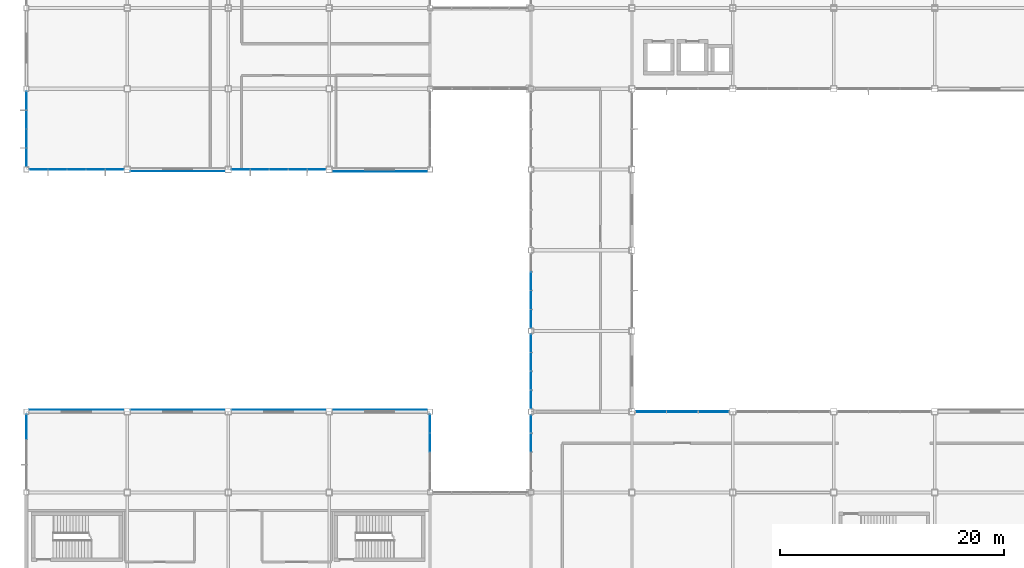
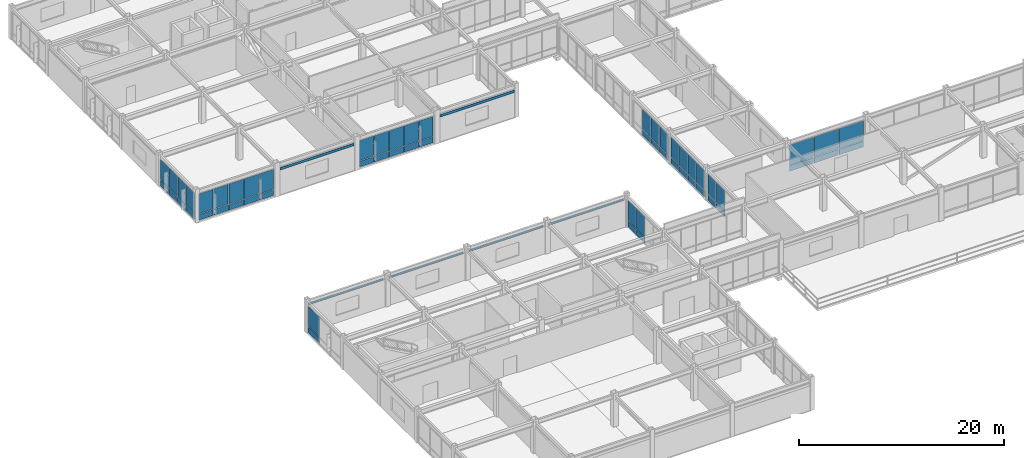
# One storey, part 90 of 122: 64 plates, 9 elements without a shape of their own.
"""IFC4 building model written with IfcOpenShell, lengths in metres."""

from ifc_helpers import new_model, si_unit, direction, frame, origin, origin_2d, place, context, subcontext, project, spatial, rectangle, extrude, material, layer, layer_set, type_object, element, aggregate, save


model = new_model("IFC4")

# Units and contexts
model_context = context("Model", 3, precision=1e-05, world=origin(), true_north=direction((0.0, 1.0)))
body_context = subcontext(model_context, "Body", "Model", "MODEL_VIEW")
ifc_project = project(units=[si_unit("LENGTHUNIT", "METRE"), si_unit("AREAUNIT", "SQUARE_METRE"), si_unit("VOLUMEUNIT", "CUBIC_METRE"), si_unit("PLANEANGLEUNIT", "RADIAN"), si_unit("MASSUNIT", "GRAM", prefix="KILO")], contexts=[model_context])

# Site, building, storey
site_placement = place(None, origin())
site = spatial("IfcSite", under=ifc_project, at=site_placement, CompositionType="ELEMENT")
building_placement = place(site_placement, origin())
building = spatial("IfcBuilding", under=site, at=building_placement, Name="Kazanami Central Library", CompositionType="ELEMENT")
storey_placement = place(building_placement, frame((0.0, 0.0, 4.800048828125)))
storey = spatial("IfcBuildingStorey", under=building, at=storey_placement, Name="L02", CompositionType="ELEMENT", Elevation=4.800048828125)

# Curtain wall, plates
ifc_material_1 = material(Name="Acid-Etched Low-E Laminated Glass", Category="glass")
curtain_wall_type_1 = type_object("IfcCurtainWallType", Name="CW-8450x3255-M275", PredefinedType="USERDEFINED", material=ifc_material_1)
curtain_wall_1_placement = place(storey_placement, origin())
curtain_wall_1 = element("IfcCurtainWall", 1, at=curtain_wall_1_placement, inside=storey, type_object=curtain_wall_type_1, Name="Unitised Curtain Wall CW-13 L02 N-F-06", ObjectType="UNITISED CURTAIN WALL", PredefinedType="USERDEFINED")
ifc_layer_1 = layer(ifc_material_1, 0.035888671875, Name="Acid-Etched Low-E Laminated Glass")
ifc_layer_set_1 = layer_set([ifc_layer_1], Name="Acid-Etched Low-E Laminated Glass")
plate_type_1 = type_object("IfcPlateType", Name="PLT-CW-P1", PredefinedType="CURTAIN_PANEL", material=ifc_layer_set_1)
plate_1_placement = place(storey_placement, frame((61.299072265625, 36.0, 0.81494140625), z_axis=(0.0, 0.0, 1.0), x_axis=(-1.0, 0.0, 0.0)))
plate_1 = element("IfcPlate", 2, at=plate_1_placement, type_object=plate_type_1, Name="CW-13 panel 1.2", PredefinedType="CURTAIN_PANEL", context=body_context, shape_type="SweptSolid", body=[
    extrude(rectangle(XDim=2.711669921875, YDim=0.035888671875, at=origin_2d()), origin(), (0.0, 0.0, 1.0), 2.3701171875),
])
plate_2_placement = place(storey_placement, frame((58.5, 36.0, 0.81494140625), z_axis=(0.0, 0.0, 1.0), x_axis=(-1.0, 0.0, 0.0)))
plate_2 = element("IfcPlate", 3, at=plate_2_placement, type_object=plate_type_1, Name="CW-13 panel 2.2", PredefinedType="CURTAIN_PANEL", context=body_context, shape_type="SweptSolid", body=[
    extrude(rectangle(XDim=2.74658203125, YDim=0.035888671875, at=origin_2d()), origin(), (0.0, 0.0, 1.0), 2.3701171875),
])
plate_3_placement = place(storey_placement, frame((55.700927734375, 36.0, 0.81494140625), z_axis=(0.0, 0.0, 1.0), x_axis=(-1.0, 0.0, 0.0)))
plate_3 = element("IfcPlate", 4, at=plate_3_placement, type_object=plate_type_1, Name="CW-13 panel 3.2", PredefinedType="CURTAIN_PANEL", context=body_context, shape_type="SweptSolid", body=[
    extrude(rectangle(XDim=2.711669921875, YDim=0.035888671875, at=origin_2d()), origin(), (0.0, 0.0, 1.0), 2.3701171875),
])

curtain_wall_type_2 = type_object("IfcCurtainWallType", Name="CW-8500x3255-M180", PredefinedType="USERDEFINED", material=ifc_material_1)
curtain_wall_2_placement = place(storey_placement, origin())
curtain_wall_2 = element("IfcCurtainWall", 5, at=curtain_wall_2_placement, inside=storey, type_object=curtain_wall_type_2, Name="Unitised Curtain Wall CW-16 L02 S-J-00", ObjectType="UNITISED CURTAIN WALL", PredefinedType="USERDEFINED")
plate_4_placement = place(storey_placement, frame((1.090087890625, 57.60009765625, 0.81005859375), z_axis=(0.0, 0.0, 1.0), x_axis=(1.0, 0.0, 0.0)))
plate_4 = element("IfcPlate", 6, at=plate_4_placement, type_object=plate_type_1, Name="CW-16 panel 1.2", PredefinedType="CURTAIN_PANEL", context=body_context, shape_type="SweptSolid", body=[
    extrude(rectangle(XDim=1.610107421875, YDim=0.035888671875, at=origin_2d()), origin(), (0.0, 0.0, 1.0), 2.385009765625),
])
plate_5_placement = place(storey_placement, frame((2.77490234375, 57.60009765625, 0.81005859375), z_axis=(0.0, 0.0, 1.0), x_axis=(1.0, 0.0, 0.0)))
plate_5 = element("IfcPlate", 7, at=plate_5_placement, type_object=plate_type_1, Name="CW-16 panel 2.2", PredefinedType="CURTAIN_PANEL", context=body_context, shape_type="SweptSolid", body=[
    extrude(rectangle(XDim=1.639892578125, YDim=0.035888671875, at=origin_2d()), origin(), (0.0, 0.0, 1.0), 2.385009765625),
])
plate_6_placement = place(storey_placement, frame((4.47509765625, 57.60009765625, 0.81005859375), z_axis=(0.0, 0.0, 1.0), x_axis=(1.0, 0.0, 0.0)))
plate_6 = element("IfcPlate", 8, at=plate_6_placement, type_object=plate_type_1, Name="CW-16 panel 3.2", PredefinedType="CURTAIN_PANEL", context=body_context, shape_type="SweptSolid", body=[
    extrude(rectangle(XDim=1.639892578125, YDim=0.035888671875, at=origin_2d()), origin(), (0.0, 0.0, 1.0), 2.385009765625),
])
plate_7_placement = place(storey_placement, frame((6.175048828125, 57.60009765625, 0.81005859375), z_axis=(0.0, 0.0, 1.0), x_axis=(1.0, 0.0, 0.0)))
plate_7 = element("IfcPlate", 9, at=plate_7_placement, type_object=plate_type_1, Name="CW-16 panel 4.2", PredefinedType="CURTAIN_PANEL", context=body_context, shape_type="SweptSolid", body=[
    extrude(rectangle(XDim=1.639892578125, YDim=0.035888671875, at=origin_2d()), origin(), (0.0, 0.0, 1.0), 2.385009765625),
])
plate_8_placement = place(storey_placement, frame((7.860107421875, 57.60009765625, 0.81005859375), z_axis=(0.0, 0.0, 1.0), x_axis=(1.0, 0.0, 0.0)))
plate_8 = element("IfcPlate", 10, at=plate_8_placement, type_object=plate_type_1, Name="CW-16 panel 5.2", PredefinedType="CURTAIN_PANEL", context=body_context, shape_type="SweptSolid", body=[
    extrude(rectangle(XDim=1.610107421875, YDim=0.035888671875, at=origin_2d()), origin(), (0.0, 0.0, 1.0), 2.385009765625),
])

curtain_wall_type_3 = type_object("IfcCurtainWallType", Name="CW-8450x3255-M180", PredefinedType="USERDEFINED", material=ifc_material_1)
curtain_wall_3_placement = place(storey_placement, origin())
curtain_wall_3 = element("IfcCurtainWall", 11, at=curtain_wall_3_placement, inside=storey, type_object=curtain_wall_type_3, Name="Unitised Curtain Wall CW-17 L02 S-J-02", ObjectType="UNITISED CURTAIN WALL", PredefinedType="USERDEFINED")
plate_9_placement = place(storey_placement, frame((19.135009765625, 57.60009765625, 0.81005859375), z_axis=(0.0, 0.0, 1.0), x_axis=(1.0, 0.0, 0.0)))
plate_9 = element("IfcPlate", 12, at=plate_9_placement, type_object=plate_type_1, Name="CW-17 panel 1.2", PredefinedType="CURTAIN_PANEL", context=body_context, shape_type="SweptSolid", body=[
    extrude(rectangle(XDim=1.60009765625, YDim=0.035888671875, at=origin_2d()), origin(), (0.0, 0.0, 1.0), 2.385009765625),
])
plate_10_placement = place(storey_placement, frame((20.81005859375, 57.60009765625, 0.81005859375), z_axis=(0.0, 0.0, 1.0), x_axis=(1.0, 0.0, 0.0)))
plate_10 = element("IfcPlate", 13, at=plate_10_placement, type_object=plate_type_1, Name="CW-17 panel 2.2", PredefinedType="CURTAIN_PANEL", context=body_context, shape_type="SweptSolid", body=[
    extrude(rectangle(XDim=1.6298828125, YDim=0.035888671875, at=origin_2d()), origin(), (0.0, 0.0, 1.0), 2.385009765625),
])
plate_11_placement = place(storey_placement, frame((22.5, 57.60009765625, 0.81005859375), z_axis=(0.0, 0.0, 1.0), x_axis=(1.0, 0.0, 0.0)))
plate_11 = element("IfcPlate", 14, at=plate_11_placement, type_object=plate_type_1, Name="CW-17 panel 3.2", PredefinedType="CURTAIN_PANEL", context=body_context, shape_type="SweptSolid", body=[
    extrude(rectangle(XDim=1.6298828125, YDim=0.035888671875, at=origin_2d()), origin(), (0.0, 0.0, 1.0), 2.385009765625),
])
plate_12_placement = place(storey_placement, frame((24.18994140625, 57.60009765625, 0.81005859375), z_axis=(0.0, 0.0, 1.0), x_axis=(1.0, 0.0, 0.0)))
plate_12 = element("IfcPlate", 15, at=plate_12_placement, type_object=plate_type_1, Name="CW-17 panel 4.2", PredefinedType="CURTAIN_PANEL", context=body_context, shape_type="SweptSolid", body=[
    extrude(rectangle(XDim=1.6298828125, YDim=0.035888671875, at=origin_2d()), origin(), (0.0, 0.0, 1.0), 2.385009765625),
])
plate_13_placement = place(storey_placement, frame((25.864990234375, 57.60009765625, 0.81005859375), z_axis=(0.0, 0.0, 1.0), x_axis=(1.0, 0.0, 0.0)))
plate_13 = element("IfcPlate", 16, at=plate_13_placement, type_object=plate_type_1, Name="CW-17 panel 5.2", PredefinedType="CURTAIN_PANEL", context=body_context, shape_type="SweptSolid", body=[
    extrude(rectangle(XDim=1.60009765625, YDim=0.035888671875, at=origin_2d()), origin(), (0.0, 0.0, 1.0), 2.385009765625),
])

curtain_wall_type_4 = type_object("IfcCurtainWallType", Name="CW-6750x3255-M180", PredefinedType="USERDEFINED", material=ifc_material_1)
curtain_wall_4_placement = place(storey_placement, origin())
curtain_wall_4 = element("IfcCurtainWall", 17, at=curtain_wall_4_placement, inside=storey, type_object=curtain_wall_type_4, Name="Unitised Curtain Wall CW-21 L02 W-1-08", ObjectType="UNITISED CURTAIN WALL", PredefinedType="USERDEFINED")
plate_14_placement = place(storey_placement, frame((0.0, 58.683837890625, 0.81005859375), z_axis=(0.0, 0.0, 1.0), x_axis=(0.0, 1.0, 0.0)))
plate_14 = element("IfcPlate", 18, at=plate_14_placement, type_object=plate_type_1, Name="CW-21 panel 1.2", PredefinedType="CURTAIN_PANEL", context=body_context, shape_type="SweptSolid", body=[
    extrude(rectangle(XDim=1.597412109375, YDim=0.035888671875, at=origin_2d()), origin(), (0.0, 0.0, 1.0), 2.385009765625),
])
plate_15_placement = place(storey_placement, frame((0.0, 60.356201171875, 0.81005859375), z_axis=(0.0, 0.0, 1.0), x_axis=(0.0, 1.0, 0.0)))
plate_15 = element("IfcPlate", 19, at=plate_15_placement, type_object=plate_type_1, Name="CW-21 panel 2.2", PredefinedType="CURTAIN_PANEL", context=body_context, shape_type="SweptSolid", body=[
    extrude(rectangle(XDim=1.62744140625, YDim=0.035888671875, at=origin_2d()), origin(), (0.0, 0.0, 1.0), 2.385009765625),
])
plate_16_placement = place(storey_placement, frame((0.0, 62.043701171875, 0.81005859375), z_axis=(0.0, 0.0, 1.0), x_axis=(0.0, 1.0, 0.0)))
plate_16 = element("IfcPlate", 20, at=plate_16_placement, type_object=plate_type_1, Name="CW-21 panel 3.2", PredefinedType="CURTAIN_PANEL", context=body_context, shape_type="SweptSolid", body=[
    extrude(rectangle(XDim=1.62744140625, YDim=0.035888671875, at=origin_2d()), origin(), (0.0, 0.0, 1.0), 2.385009765625),
])
plate_17_placement = place(storey_placement, frame((0.0, 63.71630859375, 0.81005859375), z_axis=(0.0, 0.0, 1.0), x_axis=(0.0, 1.0, 0.0)))
plate_17 = element("IfcPlate", 21, at=plate_17_placement, type_object=plate_type_1, Name="CW-21 panel 4.2", PredefinedType="CURTAIN_PANEL", context=body_context, shape_type="SweptSolid", body=[
    extrude(rectangle(XDim=1.597412109375, YDim=0.035888671875, at=origin_2d()), origin(), (0.0, 0.0, 1.0), 2.385009765625),
])

# Curtain wall, plate
curtain_wall_type_5 = type_object("IfcCurtainWallType", Name="CW-6750x3255-M225", PredefinedType="USERDEFINED", material=ifc_material_1)
curtain_wall_5_placement = place(storey_placement, origin())
curtain_wall_5 = element("IfcCurtainWall", 22, at=curtain_wall_5_placement, inside=storey, type_object=curtain_wall_type_5, Name="Unitised Curtain Wall CW-20 L02 W-1-04", ObjectType="UNITISED CURTAIN WALL", PredefinedType="USERDEFINED")
ifc_material_2 = material(Name="Low-E Insulated Triple Glass", Category="glass")
ifc_layer_2 = layer(ifc_material_2, 0.0400390625, Name="Low-E Insulated Triple Glass")
ifc_layer_set_2 = layer_set([ifc_layer_2], Name="Low-E Insulated Triple Glass")
plate_type_2 = type_object("IfcPlateType", Name="PLT-CW-P3", PredefinedType="CURTAIN_PANEL", material=ifc_layer_set_2)
plate_18_placement = place(storey_placement, frame((0.0, 34.6337890625, 0.8125), z_axis=(0.0, 0.0, 1.0), x_axis=(0.0, 1.0, 0.0)))
plate_18 = element("IfcPlate", 23, at=plate_18_placement, type_object=plate_type_2, Name="CW-20 panel 3.2", PredefinedType="CURTAIN_PANEL", context=body_context, shape_type="SweptSolid", body=[
    extrude(rectangle(XDim=2.152587890625, YDim=0.0400390625, at=origin_2d()), origin(), (0.0, 0.0, 1.0), 2.37744140625),
])

# Curtain wall, plates
curtain_wall_6_placement = place(storey_placement, origin())
curtain_wall_6 = element("IfcCurtainWall", 24, at=curtain_wall_6_placement, inside=storey, type_object=curtain_wall_type_4, Name="Covered Link Bridge Curtain Wall CW-21 L02 E-5-04", ObjectType="UNITISED CURTAIN WALL", PredefinedType="USERDEFINED")
plate_19_placement = place(storey_placement, frame((36.0, 34.916259765625, 0.81005859375), z_axis=(0.0, 0.0, 1.0), x_axis=(0.0, -1.0, 0.0)))
plate_19 = element("IfcPlate", 25, at=plate_19_placement, type_object=plate_type_2, Name="CW-21 panel 1.2", PredefinedType="CURTAIN_PANEL", context=body_context, shape_type="SweptSolid", body=[
    extrude(rectangle(XDim=1.597412109375, YDim=0.0400390625, at=origin_2d()), origin(), (0.0, 0.0, 1.0), 2.385009765625),
])
plate_20_placement = place(storey_placement, frame((36.0, 33.24365234375, 0.81005859375), z_axis=(0.0, 0.0, 1.0), x_axis=(0.0, -1.0, 0.0)))
plate_20 = element("IfcPlate", 26, at=plate_20_placement, type_object=plate_type_2, Name="CW-21 panel 2.2", PredefinedType="CURTAIN_PANEL", context=body_context, shape_type="SweptSolid", body=[
    extrude(rectangle(XDim=1.62744140625, YDim=0.0400390625, at=origin_2d()), origin(), (0.0, 0.0, 1.0), 2.385009765625),
])

curtain_wall_7_placement = place(storey_placement, origin())
curtain_wall_7 = element("IfcCurtainWall", 27, at=curtain_wall_7_placement, inside=storey, type_object=curtain_wall_type_4, Name="Covered Link Bridge Curtain Wall CW-21 L02 W-6-04", ObjectType="UNITISED CURTAIN WALL", PredefinedType="USERDEFINED")
plate_21_placement = place(storey_placement, frame((45.0, 33.24365234375, 0.81494140625), z_axis=(0.0, 0.0, 1.0), x_axis=(0.0, 1.0, 0.0)))
plate_21 = element("IfcPlate", 28, at=plate_21_placement, type_object=plate_type_2, Name="CW-21 panel 3.2", PredefinedType="CURTAIN_PANEL", context=body_context, shape_type="SweptSolid", body=[
    extrude(rectangle(XDim=1.617431640625, YDim=0.0400390625, at=origin_2d()), origin(), (0.0, 0.0, 1.0), 2.3701171875),
])
plate_22_placement = place(storey_placement, frame((45.0, 34.913818359375, 0.81494140625), z_axis=(0.0, 0.0, 1.0), x_axis=(0.0, 1.0, 0.0)))
plate_22 = element("IfcPlate", 29, at=plate_22_placement, type_object=plate_type_2, Name="CW-21 panel 4.2", PredefinedType="CURTAIN_PANEL", context=body_context, shape_type="SweptSolid", body=[
    extrude(rectangle(XDim=1.58251953125, YDim=0.0400390625, at=origin_2d()), origin(), (0.0, 0.0, 1.0), 2.3701171875),
])

curtain_wall_8_placement = place(storey_placement, origin())
curtain_wall_8 = element("IfcCurtainWall", 30, at=curtain_wall_8_placement, inside=storey, type_object=curtain_wall_type_4, Name="Covered Link Bridge Curtain Wall CW-21 L02 W-6-05", ObjectType="UNITISED CURTAIN WALL", PredefinedType="USERDEFINED")
plate_23_placement = place(storey_placement, frame((45.0, 37.086181640625, 0.81494140625), z_axis=(0.0, 0.0, 1.0), x_axis=(0.0, 1.0, 0.0)))
plate_23 = element("IfcPlate", 31, at=plate_23_placement, type_object=plate_type_2, Name="CW-21 panel 1.2", PredefinedType="CURTAIN_PANEL", context=body_context, shape_type="SweptSolid", body=[
    extrude(rectangle(XDim=1.58251953125, YDim=0.0400390625, at=origin_2d()), origin(), (0.0, 0.0, 1.0), 2.3701171875),
])
plate_24_placement = place(storey_placement, frame((45.0, 38.75634765625, 0.81494140625), z_axis=(0.0, 0.0, 1.0), x_axis=(0.0, 1.0, 0.0)))
plate_24 = element("IfcPlate", 32, at=plate_24_placement, type_object=plate_type_2, Name="CW-21 panel 2.2", PredefinedType="CURTAIN_PANEL", context=body_context, shape_type="SweptSolid", body=[
    extrude(rectangle(XDim=1.617431640625, YDim=0.0400390625, at=origin_2d()), origin(), (0.0, 0.0, 1.0), 2.3701171875),
])
plate_25_placement = place(storey_placement, frame((45.0, 40.44384765625, 0.81494140625), z_axis=(0.0, 0.0, 1.0), x_axis=(0.0, 1.0, 0.0)))
plate_25 = element("IfcPlate", 33, at=plate_25_placement, type_object=plate_type_2, Name="CW-21 panel 3.2", PredefinedType="CURTAIN_PANEL", context=body_context, shape_type="SweptSolid", body=[
    extrude(rectangle(XDim=1.617431640625, YDim=0.0400390625, at=origin_2d()), origin(), (0.0, 0.0, 1.0), 2.3701171875),
])
plate_26_placement = place(storey_placement, frame((45.0, 42.11376953125, 0.81494140625), z_axis=(0.0, 0.0, 1.0), x_axis=(0.0, 1.0, 0.0)))
plate_26 = element("IfcPlate", 34, at=plate_26_placement, type_object=plate_type_2, Name="CW-21 panel 4.2", PredefinedType="CURTAIN_PANEL", context=body_context, shape_type="SweptSolid", body=[
    extrude(rectangle(XDim=1.58251953125, YDim=0.0400390625, at=origin_2d()), origin(), (0.0, 0.0, 1.0), 2.3701171875),
])

curtain_wall_9_placement = place(storey_placement, origin())
curtain_wall_9 = element("IfcCurtainWall", 35, at=curtain_wall_9_placement, inside=storey, type_object=curtain_wall_type_4, Name="Covered Link Bridge Curtain Wall CW-21 L02 W-6-06", ObjectType="UNITISED CURTAIN WALL", PredefinedType="USERDEFINED")
plate_27_placement = place(storey_placement, frame((45.0, 44.2861328125, 0.81494140625), z_axis=(0.0, 0.0, 1.0), x_axis=(0.0, 1.0, 0.0)))
plate_27 = element("IfcPlate", 36, at=plate_27_placement, type_object=plate_type_2, Name="CW-21 panel 1.2", PredefinedType="CURTAIN_PANEL", context=body_context, shape_type="SweptSolid", body=[
    extrude(rectangle(XDim=1.58251953125, YDim=0.0400390625, at=origin_2d()), origin(), (0.0, 0.0, 1.0), 2.3701171875),
])
plate_28_placement = place(storey_placement, frame((45.0, 45.956298828125, 0.81494140625), z_axis=(0.0, 0.0, 1.0), x_axis=(0.0, 1.0, 0.0)))
plate_28 = element("IfcPlate", 37, at=plate_28_placement, type_object=plate_type_2, Name="CW-21 panel 2.2", PredefinedType="CURTAIN_PANEL", context=body_context, shape_type="SweptSolid", body=[
    extrude(rectangle(XDim=1.617431640625, YDim=0.0400390625, at=origin_2d()), origin(), (0.0, 0.0, 1.0), 2.3701171875),
])
plate_29_placement = place(storey_placement, frame((45.0, 47.643798828125, 0.81494140625), z_axis=(0.0, 0.0, 1.0), x_axis=(0.0, 1.0, 0.0)))
plate_29 = element("IfcPlate", 38, at=plate_29_placement, type_object=plate_type_2, Name="CW-21 panel 3.2", PredefinedType="CURTAIN_PANEL", context=body_context, shape_type="SweptSolid", body=[
    extrude(rectangle(XDim=1.617431640625, YDim=0.0400390625, at=origin_2d()), origin(), (0.0, 0.0, 1.0), 2.3701171875),
])

# Plate
ifc_material_3 = material(Name="Anodised Aluminium A5052-H32", Category="aluminium")
ifc_layer_3 = layer(ifc_material_3, 0.06005859375, Name="Anodised Aluminium A5052-H32")
ifc_layer_set_3 = layer_set([ifc_layer_3], Name="Anodised Aluminium A5052-H32")
plate_type_3 = type_object("IfcPlateType", Name="PLT-CW-SP1", PredefinedType="CURTAIN_PANEL", material=ifc_layer_set_3)
plate_30_placement = place(storey_placement, frame((61.299072265625, 36.0, 0.06982421875), z_axis=(0.0, 0.0, 1.0), x_axis=(-1.0, 0.0, 0.0)))
plate_30 = element("IfcPlate", 39, at=plate_30_placement, type_object=plate_type_3, Name="CW-13 panel 1.1", PredefinedType="CURTAIN_PANEL", context=body_context, shape_type="SweptSolid", body=[
    extrude(rectangle(XDim=2.711669921875, YDim=0.06005859375, at=origin_2d()), origin(), (0.0, 0.0, 1.0), 0.675048828125),
])

plate_31_placement = place(storey_placement, frame((58.5, 36.0, 0.06982421875), z_axis=(0.0, 0.0, 1.0), x_axis=(-1.0, 0.0, 0.0)))
plate_31 = element("IfcPlate", 40, at=plate_31_placement, type_object=plate_type_3, Name="CW-13 panel 2.1", PredefinedType="CURTAIN_PANEL", context=body_context, shape_type="SweptSolid", body=[
    extrude(rectangle(XDim=2.74658203125, YDim=0.06005859375, at=origin_2d()), origin(), (0.0, 0.0, 1.0), 0.675048828125),
])

plate_32_placement = place(storey_placement, frame((55.700927734375, 36.0, 0.06982421875), z_axis=(0.0, 0.0, 1.0), x_axis=(-1.0, 0.0, 0.0)))
plate_32 = element("IfcPlate", 41, at=plate_32_placement, type_object=plate_type_3, Name="CW-13 panel 3.1", PredefinedType="CURTAIN_PANEL", context=body_context, shape_type="SweptSolid", body=[
    extrude(rectangle(XDim=2.711669921875, YDim=0.06005859375, at=origin_2d()), origin(), (0.0, 0.0, 1.0), 0.675048828125),
])

aggregate(curtain_wall_1, [plate_30, plate_1, plate_31, plate_2, plate_32, plate_3])

plate_33_placement = place(storey_placement, frame((45.0, 33.24365234375, 0.06982421875), z_axis=(0.0, 0.0, 1.0), x_axis=(0.0, 1.0, 0.0)))
plate_33 = element("IfcPlate", 42, at=plate_33_placement, type_object=plate_type_3, Name="CW-21 panel 3.1", PredefinedType="CURTAIN_PANEL", context=body_context, shape_type="SweptSolid", body=[
    extrude(rectangle(XDim=1.617431640625, YDim=0.06005859375, at=origin_2d()), origin(), (0.0, 0.0, 1.0), 0.675048828125),
])

plate_34_placement = place(storey_placement, frame((45.0, 34.913818359375, 0.06982421875), z_axis=(0.0, 0.0, 1.0), x_axis=(0.0, 1.0, 0.0)))
plate_34 = element("IfcPlate", 43, at=plate_34_placement, type_object=plate_type_3, Name="CW-21 panel 4.1", PredefinedType="CURTAIN_PANEL", context=body_context, shape_type="SweptSolid", body=[
    extrude(rectangle(XDim=1.58251953125, YDim=0.06005859375, at=origin_2d()), origin(), (0.0, 0.0, 1.0), 0.675048828125),
])

aggregate(curtain_wall_7, [plate_33, plate_21, plate_34, plate_22])

plate_35_placement = place(storey_placement, frame((45.0, 37.086181640625, 0.06982421875), z_axis=(0.0, 0.0, 1.0), x_axis=(0.0, 1.0, 0.0)))
plate_35 = element("IfcPlate", 44, at=plate_35_placement, type_object=plate_type_3, Name="CW-21 panel 1.1", PredefinedType="CURTAIN_PANEL", context=body_context, shape_type="SweptSolid", body=[
    extrude(rectangle(XDim=1.58251953125, YDim=0.06005859375, at=origin_2d()), origin(), (0.0, 0.0, 1.0), 0.675048828125),
])

plate_36_placement = place(storey_placement, frame((45.0, 38.75634765625, 0.06982421875), z_axis=(0.0, 0.0, 1.0), x_axis=(0.0, 1.0, 0.0)))
plate_36 = element("IfcPlate", 45, at=plate_36_placement, type_object=plate_type_3, Name="CW-21 panel 2.1", PredefinedType="CURTAIN_PANEL", context=body_context, shape_type="SweptSolid", body=[
    extrude(rectangle(XDim=1.617431640625, YDim=0.06005859375, at=origin_2d()), origin(), (0.0, 0.0, 1.0), 0.675048828125),
])

plate_37_placement = place(storey_placement, frame((45.0, 40.44384765625, 0.06982421875), z_axis=(0.0, 0.0, 1.0), x_axis=(0.0, 1.0, 0.0)))
plate_37 = element("IfcPlate", 46, at=plate_37_placement, type_object=plate_type_3, Name="CW-21 panel 3.1", PredefinedType="CURTAIN_PANEL", context=body_context, shape_type="SweptSolid", body=[
    extrude(rectangle(XDim=1.617431640625, YDim=0.06005859375, at=origin_2d()), origin(), (0.0, 0.0, 1.0), 0.675048828125),
])

plate_38_placement = place(storey_placement, frame((45.0, 42.11376953125, 0.06982421875), z_axis=(0.0, 0.0, 1.0), x_axis=(0.0, 1.0, 0.0)))
plate_38 = element("IfcPlate", 47, at=plate_38_placement, type_object=plate_type_3, Name="CW-21 panel 4.1", PredefinedType="CURTAIN_PANEL", context=body_context, shape_type="SweptSolid", body=[
    extrude(rectangle(XDim=1.58251953125, YDim=0.06005859375, at=origin_2d()), origin(), (0.0, 0.0, 1.0), 0.675048828125),
])

aggregate(curtain_wall_8, [plate_35, plate_23, plate_36, plate_24, plate_37, plate_25, plate_38, plate_26])

plate_39_placement = place(storey_placement, frame((45.0, 44.2861328125, 0.06982421875), z_axis=(0.0, 0.0, 1.0), x_axis=(0.0, 1.0, 0.0)))
plate_39 = element("IfcPlate", 48, at=plate_39_placement, type_object=plate_type_3, Name="CW-21 panel 1.1", PredefinedType="CURTAIN_PANEL", context=body_context, shape_type="SweptSolid", body=[
    extrude(rectangle(XDim=1.58251953125, YDim=0.06005859375, at=origin_2d()), origin(), (0.0, 0.0, 1.0), 0.675048828125),
])

plate_40_placement = place(storey_placement, frame((45.0, 45.956298828125, 0.06982421875), z_axis=(0.0, 0.0, 1.0), x_axis=(0.0, 1.0, 0.0)))
plate_40 = element("IfcPlate", 49, at=plate_40_placement, type_object=plate_type_3, Name="CW-21 panel 2.1", PredefinedType="CURTAIN_PANEL", context=body_context, shape_type="SweptSolid", body=[
    extrude(rectangle(XDim=1.617431640625, YDim=0.06005859375, at=origin_2d()), origin(), (0.0, 0.0, 1.0), 0.675048828125),
])

plate_41_placement = place(storey_placement, frame((45.0, 47.643798828125, 0.06982421875), z_axis=(0.0, 0.0, 1.0), x_axis=(0.0, 1.0, 0.0)))
plate_41 = element("IfcPlate", 50, at=plate_41_placement, type_object=plate_type_3, Name="CW-21 panel 3.1", PredefinedType="CURTAIN_PANEL", context=body_context, shape_type="SweptSolid", body=[
    extrude(rectangle(XDim=1.617431640625, YDim=0.06005859375, at=origin_2d()), origin(), (0.0, 0.0, 1.0), 0.675048828125),
])

aggregate(curtain_wall_9, [plate_39, plate_27, plate_40, plate_28, plate_41, plate_29])

ifc_layer_4 = layer(ifc_material_3, 0.052001953125, Name="Anodised Aluminium A5052-H32")
ifc_layer_set_4 = layer_set([ifc_layer_4], Name="Anodised Aluminium A5052-H32")
plate_type_4 = type_object("IfcPlateType", Name="PLT-CW-SP2", PredefinedType="CURTAIN_PANEL", material=ifc_layer_set_4)
plate_42_placement = place(storey_placement, frame((0.0, 34.6337890625, 0.06494140625), z_axis=(0.0, 0.0, 1.0), x_axis=(0.0, 1.0, 0.0)))
plate_42 = element("IfcPlate", 51, at=plate_42_placement, type_object=plate_type_4, Name="CW-20 panel 3.1", PredefinedType="CURTAIN_PANEL", context=body_context, shape_type="SweptSolid", body=[
    extrude(rectangle(XDim=2.152587890625, YDim=0.052001953125, at=origin_2d()), origin(), (0.0, 0.0, 1.0), 0.6826171875),
])

aggregate(curtain_wall_5, [plate_42, plate_18])

plate_43_placement = place(storey_placement, frame((36.0, 34.916259765625, 0.06005859375), z_axis=(0.0, 0.0, 1.0), x_axis=(0.0, -1.0, 0.0)))
plate_43 = element("IfcPlate", 52, at=plate_43_placement, type_object=plate_type_4, Name="CW-21 panel 1.1", PredefinedType="CURTAIN_PANEL", context=body_context, shape_type="SweptSolid", body=[
    extrude(rectangle(XDim=1.597412109375, YDim=0.052001953125, at=origin_2d()), origin(), (0.0, 0.0, 1.0), 0.68994140625),
])

plate_44_placement = place(storey_placement, frame((36.0, 33.24365234375, 0.06005859375), z_axis=(0.0, 0.0, 1.0), x_axis=(0.0, -1.0, 0.0)))
plate_44 = element("IfcPlate", 53, at=plate_44_placement, type_object=plate_type_4, Name="CW-21 panel 2.1", PredefinedType="CURTAIN_PANEL", context=body_context, shape_type="SweptSolid", body=[
    extrude(rectangle(XDim=1.62744140625, YDim=0.052001953125, at=origin_2d()), origin(), (0.0, 0.0, 1.0), 0.68994140625),
])

aggregate(curtain_wall_6, [plate_43, plate_19, plate_44, plate_20])

ifc_layer_5 = layer(ifc_material_3, 0.048095703125, Name="Anodised Aluminium A5052-H32")
ifc_layer_set_5 = layer_set([ifc_layer_5], Name="Anodised Aluminium A5052-H32")
plate_type_5 = type_object("IfcPlateType", Name="PLT-CW-SP3", PredefinedType="CURTAIN_PANEL", material=ifc_layer_set_5)
plate_45_placement = place(storey_placement, frame((1.090087890625, 57.60009765625, 0.06005859375), z_axis=(0.0, 0.0, 1.0), x_axis=(1.0, 0.0, 0.0)))
plate_45 = element("IfcPlate", 54, at=plate_45_placement, type_object=plate_type_5, Name="CW-16 panel 1.1", PredefinedType="CURTAIN_PANEL", context=body_context, shape_type="SweptSolid", body=[
    extrude(rectangle(XDim=1.610107421875, YDim=0.048095703125, at=origin_2d()), origin(), (0.0, 0.0, 1.0), 0.68994140625),
])

plate_46_placement = place(storey_placement, frame((2.77490234375, 57.60009765625, 0.06005859375), z_axis=(0.0, 0.0, 1.0), x_axis=(1.0, 0.0, 0.0)))
plate_46 = element("IfcPlate", 55, at=plate_46_placement, type_object=plate_type_5, Name="CW-16 panel 2.1", PredefinedType="CURTAIN_PANEL", context=body_context, shape_type="SweptSolid", body=[
    extrude(rectangle(XDim=1.639892578125, YDim=0.048095703125, at=origin_2d()), origin(), (0.0, 0.0, 1.0), 0.68994140625),
])

plate_47_placement = place(storey_placement, frame((4.47509765625, 57.60009765625, 0.06005859375), z_axis=(0.0, 0.0, 1.0), x_axis=(1.0, 0.0, 0.0)))
plate_47 = element("IfcPlate", 56, at=plate_47_placement, type_object=plate_type_5, Name="CW-16 panel 3.1", PredefinedType="CURTAIN_PANEL", context=body_context, shape_type="SweptSolid", body=[
    extrude(rectangle(XDim=1.639892578125, YDim=0.048095703125, at=origin_2d()), origin(), (0.0, 0.0, 1.0), 0.68994140625),
])

plate_48_placement = place(storey_placement, frame((6.175048828125, 57.60009765625, 0.06005859375), z_axis=(0.0, 0.0, 1.0), x_axis=(1.0, 0.0, 0.0)))
plate_48 = element("IfcPlate", 57, at=plate_48_placement, type_object=plate_type_5, Name="CW-16 panel 4.1", PredefinedType="CURTAIN_PANEL", context=body_context, shape_type="SweptSolid", body=[
    extrude(rectangle(XDim=1.639892578125, YDim=0.048095703125, at=origin_2d()), origin(), (0.0, 0.0, 1.0), 0.68994140625),
])

plate_49_placement = place(storey_placement, frame((7.860107421875, 57.60009765625, 0.06005859375), z_axis=(0.0, 0.0, 1.0), x_axis=(1.0, 0.0, 0.0)))
plate_49 = element("IfcPlate", 58, at=plate_49_placement, type_object=plate_type_5, Name="CW-16 panel 5.1", PredefinedType="CURTAIN_PANEL", context=body_context, shape_type="SweptSolid", body=[
    extrude(rectangle(XDim=1.610107421875, YDim=0.048095703125, at=origin_2d()), origin(), (0.0, 0.0, 1.0), 0.68994140625),
])

aggregate(curtain_wall_2, [plate_45, plate_4, plate_46, plate_5, plate_47, plate_6, plate_48, plate_7, plate_49, plate_8])

plate_50_placement = place(storey_placement, frame((19.135009765625, 57.60009765625, 0.06005859375), z_axis=(0.0, 0.0, 1.0), x_axis=(1.0, 0.0, 0.0)))
plate_50 = element("IfcPlate", 59, at=plate_50_placement, type_object=plate_type_5, Name="CW-17 panel 1.1", PredefinedType="CURTAIN_PANEL", context=body_context, shape_type="SweptSolid", body=[
    extrude(rectangle(XDim=1.60009765625, YDim=0.048095703125, at=origin_2d()), origin(), (0.0, 0.0, 1.0), 0.68994140625),
])

plate_51_placement = place(storey_placement, frame((20.81005859375, 57.60009765625, 0.06005859375), z_axis=(0.0, 0.0, 1.0), x_axis=(1.0, 0.0, 0.0)))
plate_51 = element("IfcPlate", 60, at=plate_51_placement, type_object=plate_type_5, Name="CW-17 panel 2.1", PredefinedType="CURTAIN_PANEL", context=body_context, shape_type="SweptSolid", body=[
    extrude(rectangle(XDim=1.6298828125, YDim=0.048095703125, at=origin_2d()), origin(), (0.0, 0.0, 1.0), 0.68994140625),
])

plate_52_placement = place(storey_placement, frame((22.5, 57.60009765625, 0.06005859375), z_axis=(0.0, 0.0, 1.0), x_axis=(1.0, 0.0, 0.0)))
plate_52 = element("IfcPlate", 61, at=plate_52_placement, type_object=plate_type_5, Name="CW-17 panel 3.1", PredefinedType="CURTAIN_PANEL", context=body_context, shape_type="SweptSolid", body=[
    extrude(rectangle(XDim=1.6298828125, YDim=0.048095703125, at=origin_2d()), origin(), (0.0, 0.0, 1.0), 0.68994140625),
])

plate_53_placement = place(storey_placement, frame((24.18994140625, 57.60009765625, 0.06005859375), z_axis=(0.0, 0.0, 1.0), x_axis=(1.0, 0.0, 0.0)))
plate_53 = element("IfcPlate", 62, at=plate_53_placement, type_object=plate_type_5, Name="CW-17 panel 4.1", PredefinedType="CURTAIN_PANEL", context=body_context, shape_type="SweptSolid", body=[
    extrude(rectangle(XDim=1.6298828125, YDim=0.048095703125, at=origin_2d()), origin(), (0.0, 0.0, 1.0), 0.68994140625),
])

plate_54_placement = place(storey_placement, frame((25.864990234375, 57.60009765625, 0.06005859375), z_axis=(0.0, 0.0, 1.0), x_axis=(1.0, 0.0, 0.0)))
plate_54 = element("IfcPlate", 63, at=plate_54_placement, type_object=plate_type_5, Name="CW-17 panel 5.1", PredefinedType="CURTAIN_PANEL", context=body_context, shape_type="SweptSolid", body=[
    extrude(rectangle(XDim=1.60009765625, YDim=0.048095703125, at=origin_2d()), origin(), (0.0, 0.0, 1.0), 0.68994140625),
])

aggregate(curtain_wall_3, [plate_50, plate_9, plate_51, plate_10, plate_52, plate_11, plate_53, plate_12, plate_54, plate_13])

plate_55_placement = place(storey_placement, frame((0.0, 58.683837890625, 0.06005859375), z_axis=(0.0, 0.0, 1.0), x_axis=(0.0, 1.0, 0.0)))
plate_55 = element("IfcPlate", 64, at=plate_55_placement, type_object=plate_type_5, Name="CW-21 panel 1.1", PredefinedType="CURTAIN_PANEL", context=body_context, shape_type="SweptSolid", body=[
    extrude(rectangle(XDim=1.597412109375, YDim=0.048095703125, at=origin_2d()), origin(), (0.0, 0.0, 1.0), 0.68994140625),
])

plate_56_placement = place(storey_placement, frame((0.0, 60.356201171875, 0.06005859375), z_axis=(0.0, 0.0, 1.0), x_axis=(0.0, 1.0, 0.0)))
plate_56 = element("IfcPlate", 65, at=plate_56_placement, type_object=plate_type_5, Name="CW-21 panel 2.1", PredefinedType="CURTAIN_PANEL", context=body_context, shape_type="SweptSolid", body=[
    extrude(rectangle(XDim=1.62744140625, YDim=0.048095703125, at=origin_2d()), origin(), (0.0, 0.0, 1.0), 0.68994140625),
])

plate_57_placement = place(storey_placement, frame((0.0, 62.043701171875, 0.06005859375), z_axis=(0.0, 0.0, 1.0), x_axis=(0.0, 1.0, 0.0)))
plate_57 = element("IfcPlate", 66, at=plate_57_placement, type_object=plate_type_5, Name="CW-21 panel 3.1", PredefinedType="CURTAIN_PANEL", context=body_context, shape_type="SweptSolid", body=[
    extrude(rectangle(XDim=1.62744140625, YDim=0.048095703125, at=origin_2d()), origin(), (0.0, 0.0, 1.0), 0.68994140625),
])

plate_58_placement = place(storey_placement, frame((0.0, 63.71630859375, 0.06005859375), z_axis=(0.0, 0.0, 1.0), x_axis=(0.0, 1.0, 0.0)))
plate_58 = element("IfcPlate", 67, at=plate_58_placement, type_object=plate_type_5, Name="CW-21 panel 4.1", PredefinedType="CURTAIN_PANEL", context=body_context, shape_type="SweptSolid", body=[
    extrude(rectangle(XDim=1.597412109375, YDim=0.048095703125, at=origin_2d()), origin(), (0.0, 0.0, 1.0), 0.68994140625),
])

aggregate(curtain_wall_4, [plate_55, plate_14, plate_56, plate_15, plate_57, plate_16, plate_58, plate_17])

# Plates
ifc_layer_6 = layer(ifc_material_3, 0.013916015625, Name="Anodised Aluminium A5052-H32")
ifc_layer_set_6 = layer_set([ifc_layer_6], Name="Anodised Aluminium A5052-H32")
plate_type_6 = type_object("IfcPlateType", Name="PLT-SPN-14", PredefinedType="SHEET", material=ifc_layer_set_6)
plate_59_placement = place(storey_placement, frame((4.47509765625, 36.1669921875, 2.94482421875), z_axis=(0.0, 0.0, 1.0), x_axis=(-1.0, 0.0, 0.0)))
element("IfcPlate", 68, at=plate_59_placement, inside=storey, type_object=plate_type_6, Name="Architectural Spandrel Sheet SPN-14 L02 N-F-00", PredefinedType="SHEET", context=body_context, shape_type="SweptSolid", body=[
    extrude(rectangle(XDim=8.39990234375, YDim=0.013916015625, at=origin_2d()), origin(), (0.0, 0.0, 1.0), 0.300048828125),
])
ifc_layer_7 = layer(ifc_material_3, 0.01611328125, Name="Anodised Aluminium A5052-H32")
ifc_layer_set_7 = layer_set([ifc_layer_7], Name="Anodised Aluminium A5052-H32")
plate_type_7 = type_object("IfcPlateType", Name="PLT-SPN-16", PredefinedType="SHEET", material=ifc_layer_set_7)
for number, where, z_axis, x_axis, name in (
    (69, (13.5, 36.16796875, 2.94482421875), (0.0, 0.0, 1.0), (-1.0, 0.0, 0.0), "Architectural Spandrel Sheet SPN-16 L02 N-F-01"),
    (70, (13.5, 57.431884765625, 2.94482421875), (0.0, 0.0, 1.0), (1.0, 0.0, 0.0), "Architectural Spandrel Sheet SPN-16 L02 S-J-01"),
):
    element("IfcPlate", number, at=place(storey_placement, frame(where, z_axis=z_axis, x_axis=x_axis)), inside=storey, type_object=plate_type_7, Name=name, PredefinedType="SHEET", context=body_context, shape_type="SweptSolid", body=[
        extrude(rectangle(XDim=8.35009765625, YDim=0.01611328125, at=origin_2d()), origin(), (0.0, 0.0, 1.0), 0.300048828125),
    ])
ifc_layer_8 = layer(ifc_material_3, 0.01806640625, Name="Anodised Aluminium A5052-H32")
ifc_layer_set_8 = layer_set([ifc_layer_8], Name="Anodised Aluminium A5052-H32")
plate_type_8 = type_object("IfcPlateType", Name="PLT-SPN-18", PredefinedType="SHEET", material=ifc_layer_set_8)
plate_60_placement = place(storey_placement, frame((22.5, 36.1689453125, 2.94482421875), z_axis=(0.0, 0.0, 1.0), x_axis=(-1.0, 0.0, 0.0)))
element("IfcPlate", 71, at=plate_60_placement, inside=storey, type_object=plate_type_8, Name="Architectural Spandrel Sheet SPN-18 L02 N-F-02", PredefinedType="SHEET", context=body_context, shape_type="SweptSolid", body=[
    extrude(rectangle(XDim=8.35009765625, YDim=0.01806640625, at=origin_2d()), origin(), (0.0, 0.0, 1.0), 0.300048828125),
])
ifc_layer_9 = layer(ifc_material_3, 0.02001953125, Name="Anodised Aluminium A5052-H32")
ifc_layer_set_9 = layer_set([ifc_layer_9], Name="Anodised Aluminium A5052-H32")
plate_type_9 = type_object("IfcPlateType", Name="PLT-SPN-20", PredefinedType="SHEET", material=ifc_layer_set_9)
for number, where, z_axis, x_axis, name in (
    (72, (31.52490234375, 36.169921875, 2.94482421875), (0.0, 0.0, 1.0), (-1.0, 0.0, 0.0), "Architectural Spandrel Sheet SPN-20 L02 N-F-03"),
    (73, (31.52490234375, 57.429931640625, 2.94482421875), (0.0, 0.0, 1.0), (1.0, 0.0, 0.0), "Architectural Spandrel Sheet SPN-20 L02 S-J-03"),
):
    element("IfcPlate", number, at=place(storey_placement, frame(where, z_axis=z_axis, x_axis=x_axis)), inside=storey, type_object=plate_type_9, Name=name, PredefinedType="SHEET", context=body_context, shape_type="SweptSolid", body=[
        extrude(rectangle(XDim=8.39990234375, YDim=0.02001953125, at=origin_2d()), origin(), (0.0, 0.0, 1.0), 0.300048828125),
    ])

save(model, "model.ifc")
